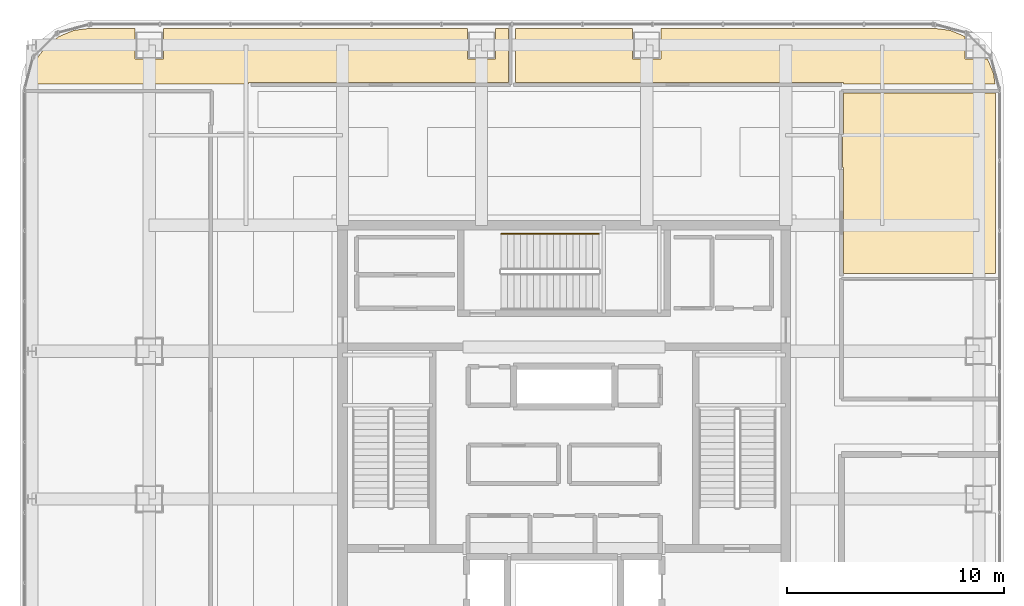
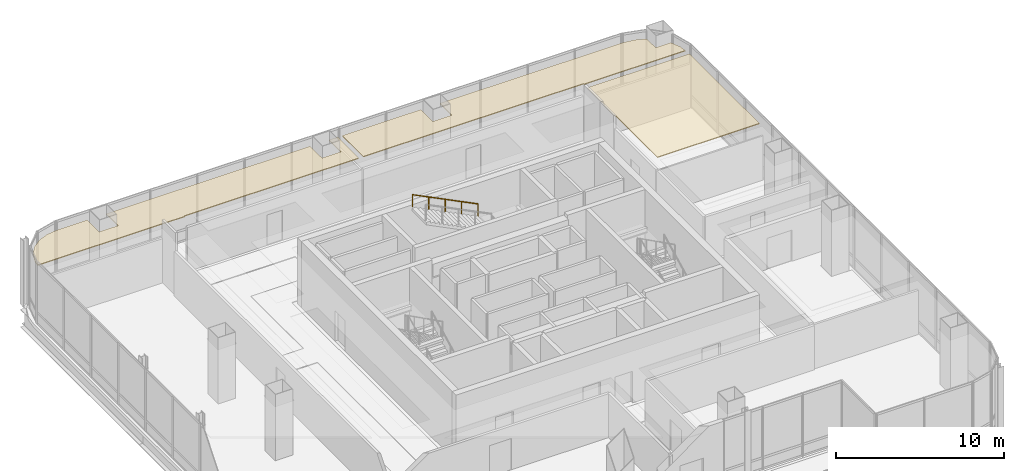
# One storey, part 44 of 44: 3 coverings, 1 railing.
"""IFC4 building model written with IfcOpenShell, lengths in metres."""

from ifc_helpers import new_model, si_unit, direction, frame, origin, origin_2d, place, context, subcontext, project, spatial, polyline, circle, outline, extrude, material, layer, layer_set, type_object, element, save


model = new_model("IFC4")

# Units and contexts
model_context = context("Model", 3, precision=1e-05, world=origin(), true_north=direction((0.0, 1.0)))
body_context = subcontext(model_context, "Body", "Model", "MODEL_VIEW")
ifc_project = project(units=[si_unit("LENGTHUNIT", "METRE"), si_unit("AREAUNIT", "SQUARE_METRE"), si_unit("VOLUMEUNIT", "CUBIC_METRE"), si_unit("PLANEANGLEUNIT", "RADIAN"), si_unit("MASSUNIT", "GRAM", prefix="KILO")], contexts=[model_context])

# Site, building, storey
site_placement = place(None, origin())
site = spatial("IfcSite", under=ifc_project, at=site_placement, CompositionType="ELEMENT")
building_placement = place(site_placement, origin())
building = spatial("IfcBuilding", under=site, at=building_placement, Name="Punatoya Terracotta Tower", CompositionType="ELEMENT")
storey_placement = place(building_placement, frame((0.0, 0.0, 334.199951171875)))
storey = spatial("IfcBuildingStorey", under=building, at=storey_placement, Name="L79", CompositionType="ELEMENT", Elevation=334.199951171875)

# Coverings
ifc_material_1 = material(Name="Acoustic Mineral Fibre Ceiling")
ifc_layer = layer(ifc_material_1, 0.06005859375)
ifc_layer_set = layer_set([ifc_layer], Name="Acoustic Mineral Fibre Ceiling")
covering_type = type_object("IfcCoveringType", Name="COV-CEIL-60", PredefinedType="CEILING", material=ifc_layer_set)
covering_1_placement = place(storey_placement, frame((0.0, 0.0, 3.929931640625)))
element("IfcCovering", 1, at=covering_1_placement, inside=storey, type_object=covering_type, Name="L79 Digital Cartography Studio Acoustic Ceiling", PredefinedType="CEILING", context=body_context, shape_type="SweptSolid", body=[
    extrude(outline(polyline([(12.81005859375, 11.8701171875), (12.8701171875, 11.8701171875), (12.8701171875, 6.969970703125), (19.8701171875, 6.969970703125), (19.8701171875, 15.2900390625), (12.8701171875, 15.2900390625), (12.8701171875, 13.280029296875), (12.81005859375, 13.280029296875), (12.81005859375, 11.8701171875)])), origin(), (0.0, 0.0, 1.0), 0.06005859375),
])
covering_2_placement = place(storey_placement, frame((0.0, 0.0, 3.929931640625)))
element("IfcCovering", 2, at=covering_2_placement, inside=storey, type_object=covering_type, Name="L79 Open-Plan Visitors' Wellness Lounge Acoustic Ceiling", PredefinedType="CEILING", context=body_context, shape_type="SweptSolid", body=[
    extrude(outline(polyline([(-19.75, 18.27001953125), (-21.8251953125, 18.27001953125), (-22.5791015625, 18.1708984375), (-23.25830078125, 17.889404296875), (-23.841796875, 17.441650390625), (-24.289306640625, 16.8583984375), (-24.57080078125, 16.178955078125), (-24.632568359375, 15.7099609375), (-14.52001953125, 15.7099609375), (-14.52001953125, 15.77001953125), (-2.56005859375, 15.77001953125), (-2.56005859375, 18.27001953125), (-3.14990234375, 18.27001953125), (-3.14990234375, 16.85009765625), (-4.449951171875, 16.85009765625), (-4.449951171875, 18.27001953125), (-18.449951171875, 18.27001953125), (-18.449951171875, 16.85009765625), (-19.75, 16.85009765625), (-19.75, 18.27001953125)])), origin(), (0.0, 0.0, 1.0), 0.06005859375),
])
covering_3_placement = place(storey_placement, frame((0.0, 0.0, 3.929931640625)))
element("IfcCovering", 3, at=covering_3_placement, inside=storey, type_object=covering_type, Name="L79 Open-Plan Horizon Tea Pantry Acoustic Ceiling", PredefinedType="CEILING", context=body_context, shape_type="SweptSolid", body=[
    extrude(outline(polyline([(3.14990234375, 18.27001953125), (-2.239990234375, 18.27001953125), (-2.239990234375, 15.77001953125), (12.8701171875, 15.77001953125), (12.8701171875, 15.7099609375), (19.83251953125, 15.7099609375), (19.770751953125, 16.178955078125), (19.492919921875, 16.85009765625), (18.449951171875, 16.85009765625), (18.449951171875, 17.892822265625), (17.779052734375, 18.1708984375), (17.025146484375, 18.27001953125), (4.449951171875, 18.27001953125), (4.449951171875, 16.85009765625), (3.14990234375, 16.85009765625), (3.14990234375, 18.27001953125)])), origin(), (0.0, 0.0, 1.0), 0.06005859375),
])

# Railing
ifc_material_2 = material(Name="Steel S355", Category="steel")
railing_type = type_object("IfcRailingType", Name="RLG-HND-900", PredefinedType="HANDRAIL", material=ifc_material_2)
railing_placement = place(storey_placement, frame((1.60009765625, 8.800048828125, 2.550048828125)))
element("IfcRailing", 4, at=railing_placement, inside=storey, type_object=railing_type, Name="L79 ST-3 stair handrail 2", PredefinedType="HANDRAIL", context=body_context, shape_type="SweptSolid", body=[
    extrude(circle(Radius=0.02392578125, at=origin_2d()), frame((0.0, 0.0, 0.8759765625), z_axis=(-0.894427191, 0.0, 0.4472135955), x_axis=(0.0, -1.0, 0.0)), (0.0, 0.0, 1.0), 5.03125),
    extrude(circle(Radius=0.02099609375, at=origin_2d()), origin(), (0.0, 0.0, 1.0), 0.851806640625),
    extrude(circle(Radius=0.02099609375, at=origin_2d()), frame((-1.125, 0.0, 0.5625)), (0.0, 0.0, 1.0), 0.851806640625),
    extrude(circle(Radius=0.02099609375, at=origin_2d()), frame((-2.25, 0.0, 1.125)), (0.0, 0.0, 1.0), 0.851806640625),
    extrude(circle(Radius=0.02099609375, at=origin_2d()), frame((-3.375, 0.0, 1.6875)), (0.0, 0.0, 1.0), 0.851806640625),
    extrude(circle(Radius=0.02099609375, at=origin_2d()), frame((-4.5, 0.0, 2.25)), (0.0, 0.0, 1.0), 0.851806640625),
])

save(model, "model.ifc")
